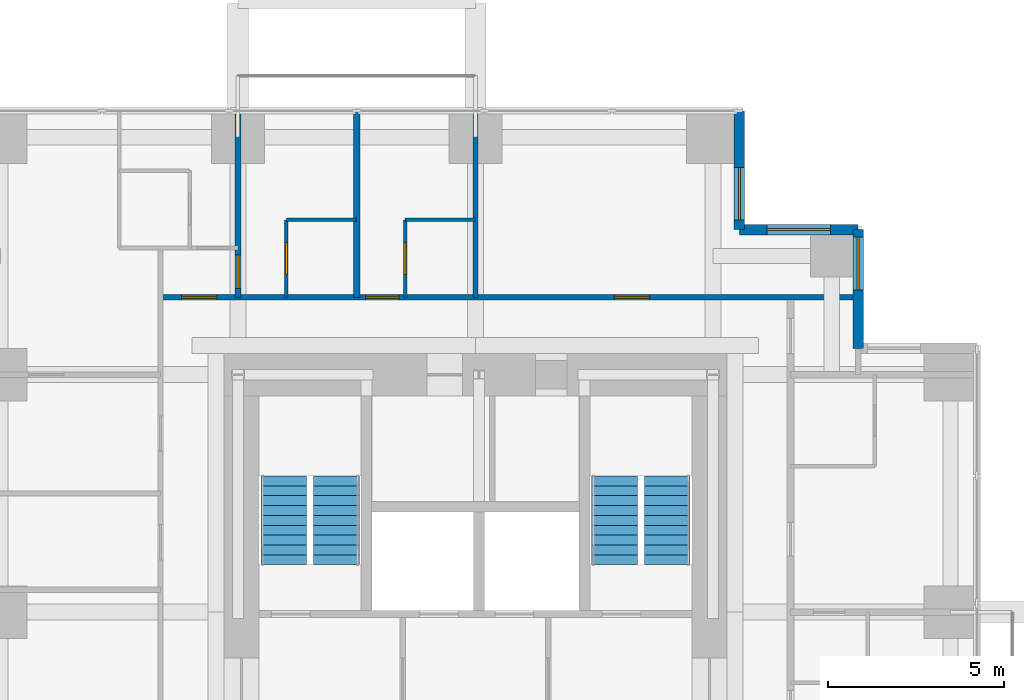
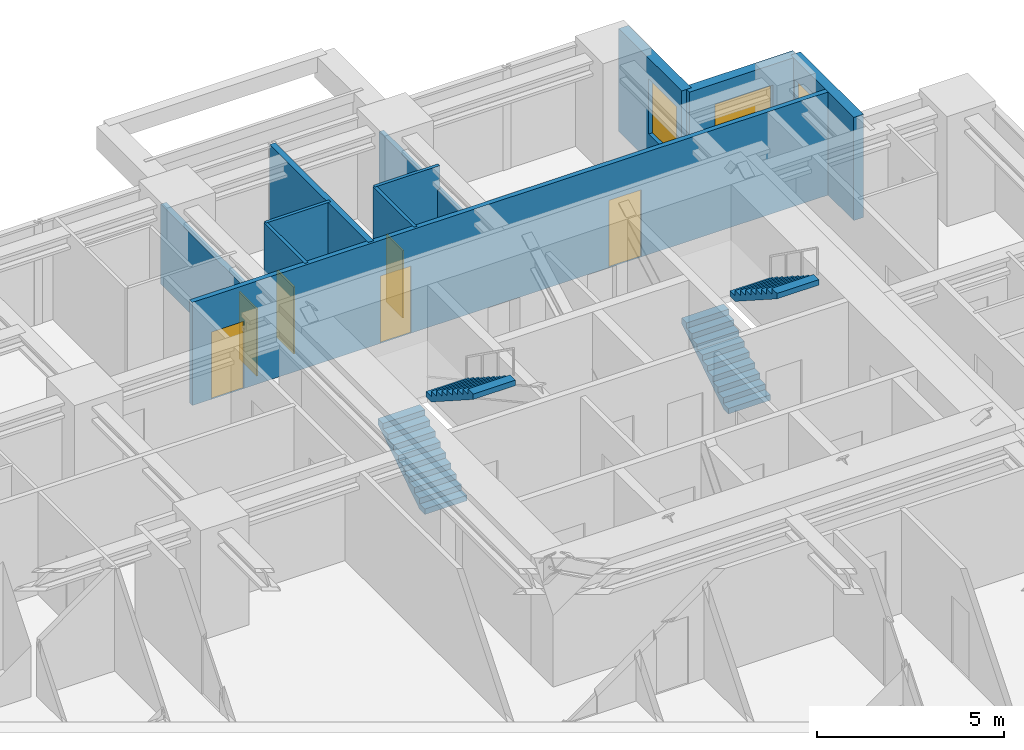
# One storey, part 9 of 10: 11 walls, 6 doors, 4 stair flights, 3 windows, 9 openings, 2 elements without a shape of their own.
"""IFC4 building model written with IfcOpenShell, lengths in metres."""

from ifc_helpers import new_model, si_unit, direction, frame, frame_2d, origin, place, context, subcontext, project, spatial, polyline, rectangle, outline, extrude, material, layer, layer_set, type_object, element, fill, aggregate, save


model = new_model("IFC4")

# Units and contexts
model_context = context("Model", 3, precision=1e-05, world=origin(), true_north=direction((0.0, 1.0)))
body_context = subcontext(model_context, "Body", "Model", "MODEL_VIEW")
ifc_project = project(units=[si_unit("LENGTHUNIT", "METRE"), si_unit("AREAUNIT", "SQUARE_METRE"), si_unit("VOLUMEUNIT", "CUBIC_METRE"), si_unit("PLANEANGLEUNIT", "RADIAN"), si_unit("MASSUNIT", "GRAM", prefix="KILO")], contexts=[model_context])

# Site, building, storey
site_placement = place(None, origin())
site = spatial("IfcSite", under=ifc_project, at=site_placement, CompositionType="ELEMENT")
building_placement = place(site_placement, origin())
building = spatial("IfcBuilding", under=site, at=building_placement, Name="Nyansa Garden Tower", CompositionType="ELEMENT")
storey_placement = place(building_placement, frame((0.0, 0.0, 153.0)))
storey = spatial("IfcBuildingStorey", under=building, at=storey_placement, Name="L41", CompositionType="ELEMENT", Elevation=153.0)

# Wall, opening, door
ifc_material_1 = material(Name="Dense blockwork, plastered both sides, 55 dB", Category="masonry")
ifc_layer_1 = layer(ifc_material_1, 0.175048828125)
ifc_layer_set_1 = layer_set([ifc_layer_1], Name="Acoustic party wall PW175")
wall_type_1 = type_object("IfcWallType", Name="Acoustic party wall PW175", PredefinedType="PARTITIONING", material=ifc_layer_set_1)
wall_1_placement = place(storey_placement, frame((13.5, 29.199951171875, 0.0), z_axis=(0.0, 0.0, 1.0), x_axis=(0.0, 1.0, 0.0)))
wall_1 = element("IfcWall", 1, at=wall_1_placement, inside=storey, type_object=wall_type_1, Name="Party wall", PredefinedType="PARTITIONING", context=body_context, shape_type="SweptSolid", body=[
    extrude(rectangle(XDim=5.283935546875, YDim=0.175048828125, at=frame_2d((2.64208984375, 0.0))), origin(), (0.0, 0.0, 1.0), 2.610107421875),
])
opening_1_placement = place(wall_1_placement, frame((0.25, 0.0, 0.0)))
opening_1 = element("IfcOpeningElement", 2, at=opening_1_placement, cuts=wall_1, Name="Opening D14", PredefinedType="OPENING", context=body_context, shape_type="SweptSolid", body=[
    extrude(rectangle(XDim=0.949951171875, YDim=2.199951171875, at=frame_2d((0.47509765625, 1.10009765625))), frame((0.0, 0.097412109375, 0.0), z_axis=(0.0, -1.0, 0.0), x_axis=(1.0, 0.0, 0.0)), (0.0, 0.0, 1.0), 0.195068359375),
])
ifc_material_2 = material(Name="Timber flush door, 60 minute fire resisting, self-closing", Category="wood")
door_type_1 = type_object("IfcDoorType", Name="Studio entrance door D14 950x2200", OperationType="SINGLE_SWING_LEFT", PredefinedType="DOOR", material=ifc_material_2)
door_1_placement = place(opening_1_placement, origin())
door_1 = element("IfcDoor", 3, at=door_1_placement, inside=storey, type_object=door_type_1, Name="Door L41-042", OperationType="SINGLE_SWING_LEFT", OverallHeight=2.199951171875, OverallWidth=0.949951171875, PredefinedType="DOOR", context=body_context, shape_type="SweptSolid", body=[
    extrude(rectangle(XDim=0.949951171875, YDim=2.199951171875, at=frame_2d((0.47509765625, 1.10009765625))), frame((0.0, 0.02490234375, 0.0), z_axis=(0.0, -1.0, 0.0), x_axis=(1.0, 0.0, 0.0)), (0.0, 0.0, 1.0), 0.050048828125),
])
fill(opening_1, door_1)

# Wall
wall_2_placement = place(storey_placement, frame((16.875, 29.199951171875, 0.0), z_axis=(0.0, 0.0, 1.0), x_axis=(0.0, 1.0, 0.0)))
element("IfcWall", 4, at=wall_2_placement, inside=storey, type_object=wall_type_1, Name="Party wall", PredefinedType="PARTITIONING", context=body_context, shape_type="SweptSolid", body=[
    extrude(rectangle(XDim=5.283935546875, YDim=0.175048828125, at=frame_2d((2.64208984375, 0.0))), origin(), (0.0, 0.0, 1.0), 3.375),
])

# Wall, openings, doors
ifc_material_3 = material(Name="Blockwork, plastered both sides", Category="masonry")
ifc_layer_2 = layer(ifc_material_3, 0.14990234375)
ifc_layer_set_2 = layer_set([ifc_layer_2], Name="Partition PW150")
wall_type_2 = type_object("IfcWallType", Name="Partition PW150", PredefinedType="PARTITIONING", material=ifc_layer_set_2)
wall_3_placement = place(storey_placement, frame((11.300048828125, 29.199951171875, 0.0), z_axis=(0.0, 0.0, 1.0), x_axis=(1.0, 0.0, 0.0)))
wall_3 = element("IfcWall", 5, at=wall_3_placement, inside=storey, type_object=wall_type_2, Name="Partition", PredefinedType="PARTITIONING", context=body_context, shape_type="SweptSolid", body=[
    extrude(rectangle(XDim=19.808837890625, YDim=0.14990234375, at=frame_2d((9.904296875, 0.0))), origin(), (0.0, 0.0, 1.0), 3.375),
])
opening_2_placement = place(wall_3_placement, frame((12.89990234375, 0.0, 0.0)))
opening_2 = element("IfcOpeningElement", 6, at=opening_2_placement, cuts=wall_3, Name="Opening D03", PredefinedType="OPENING", context=body_context, shape_type="SweptSolid", body=[
    extrude(rectangle(XDim=1.0, YDim=2.199951171875, at=frame_2d((0.5, 1.10009765625))), frame((0.0, 0.0849609375, 0.0), z_axis=(0.0, -1.0, 0.0), x_axis=(1.0, 0.0, 0.0)), (0.0, 0.0, 1.0), 0.169921875),
])
opening_3_placement = place(wall_3_placement, frame((5.824951171875, 0.0, 0.0)))
opening_3 = element("IfcOpeningElement", 7, at=opening_3_placement, cuts=wall_3, Name="Opening D14", PredefinedType="OPENING", context=body_context, shape_type="SweptSolid", body=[
    extrude(rectangle(XDim=0.949951171875, YDim=2.199951171875, at=frame_2d((0.47509765625, 1.10009765625))), frame((0.0, 0.0849609375, 0.0), z_axis=(0.0, -1.0, 0.0), x_axis=(1.0, 0.0, 0.0)), (0.0, 0.0, 1.0), 0.169921875),
])
opening_4_placement = place(wall_3_placement, frame((0.60009765625, 0.0, 0.0)))
opening_4 = element("IfcOpeningElement", 8, at=opening_4_placement, cuts=wall_3, Name="Opening D03", PredefinedType="OPENING", context=body_context, shape_type="SweptSolid", body=[
    extrude(rectangle(XDim=1.0, YDim=2.199951171875, at=frame_2d((0.5, 1.10009765625))), frame((0.0, 0.0849609375, 0.0), z_axis=(0.0, -1.0, 0.0), x_axis=(1.0, 0.0, 0.0)), (0.0, 0.0, 1.0), 0.169921875),
])
ifc_material_4 = material(Name="Timber flush door, 60 minute fire resisting", Category="wood")
door_type_2 = type_object("IfcDoorType", Name="Cluster entrance door D03 1000x2200", OperationType="SINGLE_SWING_LEFT", PredefinedType="DOOR", material=ifc_material_4)
door_2_placement = place(opening_2_placement, origin())
door_2 = element("IfcDoor", 9, at=door_2_placement, inside=storey, type_object=door_type_2, Name="Door L41-039", OperationType="SINGLE_SWING_LEFT", OverallHeight=2.199951171875, OverallWidth=1.0, PredefinedType="DOOR", context=body_context, shape_type="SweptSolid", body=[
    extrude(rectangle(XDim=1.0, YDim=2.199951171875, at=frame_2d((0.5, 1.10009765625))), frame((0.0, 0.02490234375, 0.0), z_axis=(0.0, -1.0, 0.0), x_axis=(1.0, 0.0, 0.0)), (0.0, 0.0, 1.0), 0.050048828125),
])
fill(opening_2, door_2)
door_3_placement = place(opening_4_placement, origin())
door_3 = element("IfcDoor", 10, at=door_3_placement, inside=storey, type_object=door_type_2, Name="Door L41-046", OperationType="SINGLE_SWING_LEFT", OverallHeight=2.199951171875, OverallWidth=1.0, PredefinedType="DOOR", context=body_context, shape_type="SweptSolid", body=[
    extrude(rectangle(XDim=1.0, YDim=2.199951171875, at=frame_2d((0.5, 1.10009765625))), frame((0.0, 0.02490234375, 0.0), z_axis=(0.0, -1.0, 0.0), x_axis=(1.0, 0.0, 0.0)), (0.0, 0.0, 1.0), 0.050048828125),
])
fill(opening_4, door_3)
door_4_placement = place(opening_3_placement, origin())
door_4 = element("IfcDoor", 11, at=door_4_placement, inside=storey, type_object=door_type_1, Name="Door L41-044", OperationType="SINGLE_SWING_LEFT", OverallHeight=2.199951171875, OverallWidth=0.949951171875, PredefinedType="DOOR", context=body_context, shape_type="SweptSolid", body=[
    extrude(rectangle(XDim=0.949951171875, YDim=2.199951171875, at=frame_2d((0.47509765625, 1.10009765625))), frame((0.0, 0.02490234375, 0.0), z_axis=(0.0, -1.0, 0.0), x_axis=(1.0, 0.0, 0.0)), (0.0, 0.0, 1.0), 0.050048828125),
])
fill(opening_3, door_4)

# Wall
wall_4_placement = place(storey_placement, frame((20.25, 29.199951171875, 0.0), z_axis=(0.0, 0.0, 1.0), x_axis=(0.0, 1.0, 0.0)))
element("IfcWall", 12, at=wall_4_placement, inside=storey, type_object=wall_type_2, Name="Partition", PredefinedType="PARTITIONING", context=body_context, shape_type="SweptSolid", body=[
    extrude(rectangle(XDim=5.283935546875, YDim=0.14990234375, at=frame_2d((2.64208984375, 0.0))), origin(), (0.0, 0.0, 1.0), 2.610107421875),
])

# Wall, opening, window
ifc_material_5 = material(Name="Turquoise glazed tile on concrete blockwork", Category="masonry")
ifc_layer_3 = layer(ifc_material_5, 0.300048828125)
ifc_layer_set_3 = layer_set([ifc_layer_3], Name="Tiled corner wall TW300")
wall_type_3 = type_object("IfcWallType", Name="Tiled corner wall TW300", PredefinedType="SOLIDWALL", material=ifc_layer_set_3)
wall_5_placement = place(storey_placement, frame((31.125, 27.75, 0.0), z_axis=(0.0, 0.0, 1.0), x_axis=(0.0, 1.0, 0.0)))
wall_5 = element("IfcWall", 13, at=wall_5_placement, inside=storey, type_object=wall_type_3, Name="Tiled corner wall L41", PredefinedType="SOLIDWALL", context=body_context, shape_type="SweptSolid", body=[
    extrude(rectangle(XDim=3.375, YDim=0.300048828125, at=frame_2d((1.6875, 0.0))), origin(), (0.0, 0.0, 1.0), 3.375),
])
opening_5_placement = place(wall_5_placement, frame((1.66259765625, 0.0, 0.89990234375)))
opening_5 = element("IfcOpeningElement", 14, at=opening_5_placement, cuts=wall_5, Name="Opening W1", PredefinedType="OPENING", context=body_context, shape_type="SweptSolid", body=[
    extrude(rectangle(XDim=1.5, YDim=1.800048828125, at=frame_2d((0.75, 0.89990234375))), frame((0.0, 0.159912109375, 0.0), z_axis=(0.0, -1.0, 0.0), x_axis=(1.0, 0.0, 0.0)), (0.0, 0.0, 1.0), 0.320068359375),
])
ifc_material_6 = material(Name="Black aluminium frame, dark tinted double glazing", Category="aluminium")
window_type_1 = type_object("IfcWindowType", Name="Window W1 1500x1800", PartitioningType="SINGLE_PANEL", PredefinedType="WINDOW", material=ifc_material_6)
window_1_placement = place(opening_5_placement, origin())
window_1 = element("IfcWindow", 15, at=window_1_placement, inside=storey, type_object=window_type_1, Name="Corner window L41", OverallHeight=1.800048828125, OverallWidth=1.5, PartitioningType="SINGLE_PANEL", PredefinedType="WINDOW", context=body_context, shape_type="SweptSolid", body=[
    extrude(rectangle(XDim=1.5, YDim=1.800048828125, at=frame_2d((0.75, 0.89990234375))), frame((0.0, 0.030029296875, 0.0), z_axis=(0.0, -1.0, 0.0), x_axis=(1.0, 0.0, 0.0)), (0.0, 0.0, 1.0), 0.06005859375),
])
fill(opening_5, window_1)

wall_6_placement = place(storey_placement, frame((31.125, 31.125, 0.0), z_axis=(0.0, 0.0, 1.0), x_axis=(-1.0, 0.0, 0.0)))
wall_6 = element("IfcWall", 16, at=wall_6_placement, inside=storey, type_object=wall_type_3, Name="Tiled corner wall L41", PredefinedType="SOLIDWALL", context=body_context, shape_type="SweptSolid", body=[
    extrude(rectangle(XDim=3.375, YDim=0.300048828125, at=frame_2d((1.6875, 0.0))), origin(), (0.0, 0.0, 1.0), 3.375),
])
opening_6_placement = place(wall_6_placement, frame((0.78759765625, 0.0, 0.60009765625)))
opening_6 = element("IfcOpeningElement", 17, at=opening_6_placement, cuts=wall_6, Name="Opening W2", PredefinedType="OPENING", context=body_context, shape_type="SweptSolid", body=[
    extrude(rectangle(XDim=1.800048828125, YDim=2.10009765625, at=frame_2d((0.89990234375, 1.050048828125))), frame((0.0, 0.159912109375, 0.0), z_axis=(0.0, -1.0, 0.0), x_axis=(1.0, 0.0, 0.0)), (0.0, 0.0, 1.0), 0.320068359375),
])
ifc_material_7 = material(Name="Black aluminium frame, dark tinted double glazing", Category="aluminium")
window_type_2 = type_object("IfcWindowType", Name="Window W2 1800x2100", PartitioningType="SINGLE_PANEL", PredefinedType="WINDOW", material=ifc_material_7)
window_2_placement = place(opening_6_placement, origin())
window_2 = element("IfcWindow", 18, at=window_2_placement, inside=storey, type_object=window_type_2, Name="Corner window L41", OverallHeight=2.10009765625, OverallWidth=1.800048828125, PartitioningType="SINGLE_PANEL", PredefinedType="WINDOW", context=body_context, shape_type="SweptSolid", body=[
    extrude(rectangle(XDim=1.800048828125, YDim=2.10009765625, at=frame_2d((0.89990234375, 1.050048828125))), frame((0.0, 0.030029296875, 0.0), z_axis=(0.0, -1.0, 0.0), x_axis=(1.0, 0.0, 0.0)), (0.0, 0.0, 1.0), 0.06005859375),
])
fill(opening_6, window_2)

wall_7_placement = place(storey_placement, frame((27.75, 31.125, 0.0), z_axis=(0.0, 0.0, 1.0), x_axis=(0.0, 1.0, 0.0)))
wall_7 = element("IfcWall", 19, at=wall_7_placement, inside=storey, type_object=wall_type_3, Name="Tiled corner wall L41", PredefinedType="SOLIDWALL", context=body_context, shape_type="SweptSolid", body=[
    extrude(rectangle(XDim=3.375, YDim=0.300048828125, at=frame_2d((1.6875, 0.0))), origin(), (0.0, 0.0, 1.0), 3.375),
])
opening_7_placement = place(wall_7_placement, frame((0.267578125, 0.0, 0.89990234375)))
opening_7 = element("IfcOpeningElement", 20, at=opening_7_placement, cuts=wall_7, Name="Opening W1", PredefinedType="OPENING", context=body_context, shape_type="SweptSolid", body=[
    extrude(rectangle(XDim=1.5, YDim=1.800048828125, at=frame_2d((0.75, 0.89990234375))), frame((0.0, 0.159912109375, 0.0), z_axis=(0.0, -1.0, 0.0), x_axis=(1.0, 0.0, 0.0)), (0.0, 0.0, 1.0), 0.320068359375),
])
window_3_placement = place(opening_7_placement, origin())
window_3 = element("IfcWindow", 21, at=window_3_placement, inside=storey, type_object=window_type_1, Name="Corner window L41", OverallHeight=1.800048828125, OverallWidth=1.5, PartitioningType="SINGLE_PANEL", PredefinedType="WINDOW", context=body_context, shape_type="SweptSolid", body=[
    extrude(rectangle(XDim=1.5, YDim=1.800048828125, at=frame_2d((0.75, 0.89990234375))), frame((0.0, 0.030029296875, 0.0), z_axis=(0.0, -1.0, 0.0), x_axis=(1.0, 0.0, 0.0)), (0.0, 0.0, 1.0), 0.06005859375),
])
fill(opening_7, window_3)

# Wall, opening, door
ifc_material_8 = material(Name="Moisture resistant board on steel studs, tiled", Category="steel")
ifc_layer_4 = layer(ifc_material_8, 0.10009765625)
ifc_layer_set_4 = layer_set([ifc_layer_4], Name="Wet wall PW100")
wall_type_4 = type_object("IfcWallType", Name="Wet wall PW100", PredefinedType="PARTITIONING", material=ifc_layer_set_4)
wall_8_placement = place(storey_placement, frame((14.875, 29.199951171875, 0.0), z_axis=(0.0, 0.0, 1.0), x_axis=(0.0, 1.0, 0.0)))
wall_8 = element("IfcWall", 22, at=wall_8_placement, inside=storey, type_object=wall_type_4, Name="Wet wall", PredefinedType="PARTITIONING", context=body_context, shape_type="SweptSolid", body=[
    extrude(rectangle(XDim=2.199951171875, YDim=0.10009765625, at=frame_2d((1.10009765625, 0.0))), origin(), (0.0, 0.0, 1.0), 3.375),
])
opening_8_placement = place(wall_8_placement, frame((0.64990234375, 0.0, 0.0)))
opening_8 = element("IfcOpeningElement", 23, at=opening_8_placement, cuts=wall_8, Name="Opening D02", PredefinedType="OPENING", context=body_context, shape_type="SweptSolid", body=[
    extrude(rectangle(XDim=0.89990234375, YDim=2.199951171875, at=frame_2d((0.449951171875, 1.10009765625))), frame((0.0, 0.06005859375, 0.0), z_axis=(0.0, -1.0, 0.0), x_axis=(1.0, 0.0, 0.0)), (0.0, 0.0, 1.0), 0.1201171875),
])
ifc_material_9 = material(Name="Timber flush door", Category="wood")
door_type_3 = type_object("IfcDoorType", Name="En-suite door D02 900x2200", OperationType="SINGLE_SWING_RIGHT", PredefinedType="DOOR", material=ifc_material_9)
door_5_placement = place(opening_8_placement, origin())
door_5 = element("IfcDoor", 24, at=door_5_placement, inside=storey, type_object=door_type_3, Name="Door L41-043", OperationType="SINGLE_SWING_RIGHT", OverallHeight=2.199951171875, OverallWidth=0.89990234375, PredefinedType="DOOR", context=body_context, shape_type="SweptSolid", body=[
    extrude(rectangle(XDim=0.89990234375, YDim=2.199951171875, at=frame_2d((0.449951171875, 1.10009765625))), frame((0.0, 0.02490234375, 0.0), z_axis=(0.0, -1.0, 0.0), x_axis=(1.0, 0.0, 0.0)), (0.0, 0.0, 1.0), 0.050048828125),
])
fill(opening_8, door_5)

# Wall
wall_9_placement = place(storey_placement, frame((14.875, 31.39990234375, 0.0), z_axis=(0.0, 0.0, 1.0), x_axis=(1.0, 0.0, 0.0)))
element("IfcWall", 25, at=wall_9_placement, inside=storey, type_object=wall_type_4, Name="Wet wall", PredefinedType="PARTITIONING", context=body_context, shape_type="SweptSolid", body=[
    extrude(rectangle(XDim=2.0, YDim=0.10009765625, at=frame_2d((1.0, 0.0))), origin(), (0.0, 0.0, 1.0), 3.375),
])

# Wall, opening, door
wall_10_placement = place(storey_placement, frame((18.25, 29.199951171875, 0.0), z_axis=(0.0, 0.0, 1.0), x_axis=(0.0, 1.0, 0.0)))
wall_10 = element("IfcWall", 26, at=wall_10_placement, inside=storey, type_object=wall_type_4, Name="Wet wall", PredefinedType="PARTITIONING", context=body_context, shape_type="SweptSolid", body=[
    extrude(rectangle(XDim=2.199951171875, YDim=0.10009765625, at=frame_2d((1.10009765625, 0.0))), origin(), (0.0, 0.0, 1.0), 3.375),
])
opening_9_placement = place(wall_10_placement, frame((0.64990234375, 0.0, 0.0)))
opening_9 = element("IfcOpeningElement", 27, at=opening_9_placement, cuts=wall_10, Name="Opening D02", PredefinedType="OPENING", context=body_context, shape_type="SweptSolid", body=[
    extrude(rectangle(XDim=0.89990234375, YDim=2.199951171875, at=frame_2d((0.449951171875, 1.10009765625))), frame((0.0, 0.06005859375, 0.0), z_axis=(0.0, -1.0, 0.0), x_axis=(1.0, 0.0, 0.0)), (0.0, 0.0, 1.0), 0.1201171875),
])
door_6_placement = place(opening_9_placement, origin())
door_6 = element("IfcDoor", 28, at=door_6_placement, inside=storey, type_object=door_type_3, Name="Door L41-045", OperationType="SINGLE_SWING_RIGHT", OverallHeight=2.199951171875, OverallWidth=0.89990234375, PredefinedType="DOOR", context=body_context, shape_type="SweptSolid", body=[
    extrude(rectangle(XDim=0.89990234375, YDim=2.199951171875, at=frame_2d((0.449951171875, 1.10009765625))), frame((0.0, 0.02490234375, 0.0), z_axis=(0.0, -1.0, 0.0), x_axis=(1.0, 0.0, 0.0)), (0.0, 0.0, 1.0), 0.050048828125),
])
fill(opening_9, door_6)

# Wall
wall_11_placement = place(storey_placement, frame((18.25, 31.39990234375, 0.0), z_axis=(0.0, 0.0, 1.0), x_axis=(1.0, 0.0, 0.0)))
element("IfcWall", 29, at=wall_11_placement, inside=storey, type_object=wall_type_4, Name="Wet wall", PredefinedType="PARTITIONING", context=body_context, shape_type="SweptSolid", body=[
    extrude(rectangle(XDim=2.0, YDim=0.10009765625, at=frame_2d((1.0, 0.0))), origin(), (0.0, 0.0, 1.0), 3.375),
])

# Stair, stair flights
ifc_material_10 = material(Name="Precast concrete C40/50", Category="concrete")
stair_type_1 = type_object("IfcStairType", Name="Stair S1 180x280", PredefinedType="HALF_TURN_STAIR", material=ifc_material_10)
stair_1_placement = place(storey_placement, origin())
stair_1 = element("IfcStair", 30, at=stair_1_placement, inside=storey, type_object=stair_type_1, Name="Stair S1 L41", PredefinedType="HALF_TURN_STAIR")
ifc_material_11 = material(Name="Precast concrete C40/50", Category="concrete")
stair_flight_type_1 = type_object("IfcStairFlightType", Name="Stair flight S1 180x280x10", PredefinedType="STRAIGHT", material=ifc_material_11)
stair_flight_1_placement = place(storey_placement, frame((14.800048828125, 21.60009765625, 0.0), z_axis=(0.0, 0.0, 1.0), x_axis=(0.0, 1.0, 0.0)))
stair_flight_1 = element("IfcStairFlight", 31, at=stair_flight_1_placement, type_object=stair_flight_type_1, Name="S1 flight 1", NumberOfRisers=10, NumberOfTreads=9, PredefinedType="STRAIGHT", RiserHeight=0.18, TreadLength=0.28, context=body_context, shape_type="SweptSolid", body=[
    extrude(outline(polyline([(0.0, 0.0), (0.0, 0.179931640625), (0.280029296875, 0.179931640625), (0.280029296875, 0.360107421875), (0.56005859375, 0.360107421875), (0.56005859375, 0.5400390625), (0.840087890625, 0.5400390625), (0.840087890625, 0.719970703125), (1.1201171875, 0.719970703125), (1.1201171875, 0.89990234375), (1.39990234375, 0.89990234375), (1.39990234375, 1.080078125), (1.679931640625, 1.080078125), (1.679931640625, 1.260009765625), (1.9599609375, 1.260009765625), (1.9599609375, 1.43994140625), (2.239990234375, 1.43994140625), (2.239990234375, 1.6201171875), (2.52001953125, 1.6201171875), (2.52001953125, 1.800048828125), (2.52001953125, 1.44189453125), (0.277099609375, 0.0), (0.0, 0.0)])), frame((0.0, 0.64990234375, 0.0), z_axis=(0.0, -1.0, 0.0), x_axis=(1.0, 0.0, 0.0)), (0.0, 0.0, 1.0), 1.300048828125),
])
stair_flight_2_placement = place(storey_placement, frame((16.300048828125, 24.1201171875, 1.800048828125), z_axis=(0.0, 0.0, 1.0), x_axis=(0.0, -1.0, 0.0)))
stair_flight_2 = element("IfcStairFlight", 32, at=stair_flight_2_placement, type_object=stair_flight_type_1, Name="S1 flight 2", NumberOfRisers=10, NumberOfTreads=9, PredefinedType="STRAIGHT", RiserHeight=0.18, TreadLength=0.28, context=body_context, shape_type="SweptSolid", body=[
    extrude(outline(polyline([(0.0, 0.0), (0.0, 0.179931640625), (0.280029296875, 0.179931640625), (0.280029296875, 0.360107421875), (0.56005859375, 0.360107421875), (0.56005859375, 0.5400390625), (0.840087890625, 0.5400390625), (0.840087890625, 0.719970703125), (1.1201171875, 0.719970703125), (1.1201171875, 0.89990234375), (1.39990234375, 0.89990234375), (1.39990234375, 1.080078125), (1.679931640625, 1.080078125), (1.679931640625, 1.260009765625), (1.9599609375, 1.260009765625), (1.9599609375, 1.43994140625), (2.239990234375, 1.43994140625), (2.239990234375, 1.6201171875), (2.52001953125, 1.6201171875), (2.52001953125, 1.800048828125), (2.52001953125, 1.44189453125), (0.277099609375, 0.0), (0.0, 0.0)])), frame((0.0, 0.64990234375, 0.0), z_axis=(0.0, -1.0, 0.0), x_axis=(1.0, 0.0, 0.0)), (0.0, 0.0, 1.0), 1.300048828125),
])
aggregate(stair_1, [stair_flight_1, stair_flight_2])

ifc_material_12 = material(Name="Precast concrete C40/50", Category="concrete")
stair_type_2 = type_object("IfcStairType", Name="Stair S2 180x280", PredefinedType="HALF_TURN_STAIR", material=ifc_material_12)
stair_2_placement = place(storey_placement, origin())
stair_2 = element("IfcStair", 33, at=stair_2_placement, inside=storey, type_object=stair_type_2, Name="Stair S2 L41", PredefinedType="HALF_TURN_STAIR")
ifc_material_13 = material(Name="Precast concrete C40/50", Category="concrete")
stair_flight_type_2 = type_object("IfcStairFlightType", Name="Stair flight S2 180x280x10", PredefinedType="STRAIGHT", material=ifc_material_13)
stair_flight_3_placement = place(storey_placement, frame((24.199951171875, 21.60009765625, 0.0), z_axis=(0.0, 0.0, 1.0), x_axis=(0.0, 1.0, 0.0)))
stair_flight_3 = element("IfcStairFlight", 34, at=stair_flight_3_placement, type_object=stair_flight_type_2, Name="S2 flight 1", NumberOfRisers=10, NumberOfTreads=9, PredefinedType="STRAIGHT", RiserHeight=0.18, TreadLength=0.28, context=body_context, shape_type="SweptSolid", body=[
    extrude(outline(polyline([(0.0, 0.0), (0.0, 0.179931640625), (0.280029296875, 0.179931640625), (0.280029296875, 0.360107421875), (0.56005859375, 0.360107421875), (0.56005859375, 0.5400390625), (0.840087890625, 0.5400390625), (0.840087890625, 0.719970703125), (1.1201171875, 0.719970703125), (1.1201171875, 0.89990234375), (1.39990234375, 0.89990234375), (1.39990234375, 1.080078125), (1.679931640625, 1.080078125), (1.679931640625, 1.260009765625), (1.9599609375, 1.260009765625), (1.9599609375, 1.43994140625), (2.239990234375, 1.43994140625), (2.239990234375, 1.6201171875), (2.52001953125, 1.6201171875), (2.52001953125, 1.800048828125), (2.52001953125, 1.44189453125), (0.277099609375, 0.0), (0.0, 0.0)])), frame((0.0, 0.64990234375, 0.0), z_axis=(0.0, -1.0, 0.0), x_axis=(1.0, 0.0, 0.0)), (0.0, 0.0, 1.0), 1.300048828125),
])
stair_flight_4_placement = place(storey_placement, frame((25.699951171875, 24.1201171875, 1.800048828125), z_axis=(0.0, 0.0, 1.0), x_axis=(0.0, -1.0, 0.0)))
stair_flight_4 = element("IfcStairFlight", 35, at=stair_flight_4_placement, type_object=stair_flight_type_2, Name="S2 flight 2", NumberOfRisers=10, NumberOfTreads=9, PredefinedType="STRAIGHT", RiserHeight=0.18, TreadLength=0.28, context=body_context, shape_type="SweptSolid", body=[
    extrude(outline(polyline([(0.0, 0.0), (0.0, 0.179931640625), (0.280029296875, 0.179931640625), (0.280029296875, 0.360107421875), (0.56005859375, 0.360107421875), (0.56005859375, 0.5400390625), (0.840087890625, 0.5400390625), (0.840087890625, 0.719970703125), (1.1201171875, 0.719970703125), (1.1201171875, 0.89990234375), (1.39990234375, 0.89990234375), (1.39990234375, 1.080078125), (1.679931640625, 1.080078125), (1.679931640625, 1.260009765625), (1.9599609375, 1.260009765625), (1.9599609375, 1.43994140625), (2.239990234375, 1.43994140625), (2.239990234375, 1.6201171875), (2.52001953125, 1.6201171875), (2.52001953125, 1.800048828125), (2.52001953125, 1.44189453125), (0.277099609375, 0.0), (0.0, 0.0)])), frame((0.0, 0.64990234375, 0.0), z_axis=(0.0, -1.0, 0.0), x_axis=(1.0, 0.0, 0.0)), (0.0, 0.0, 1.0), 1.300048828125),
])
aggregate(stair_2, [stair_flight_3, stair_flight_4])

save(model, "model.ifc")
